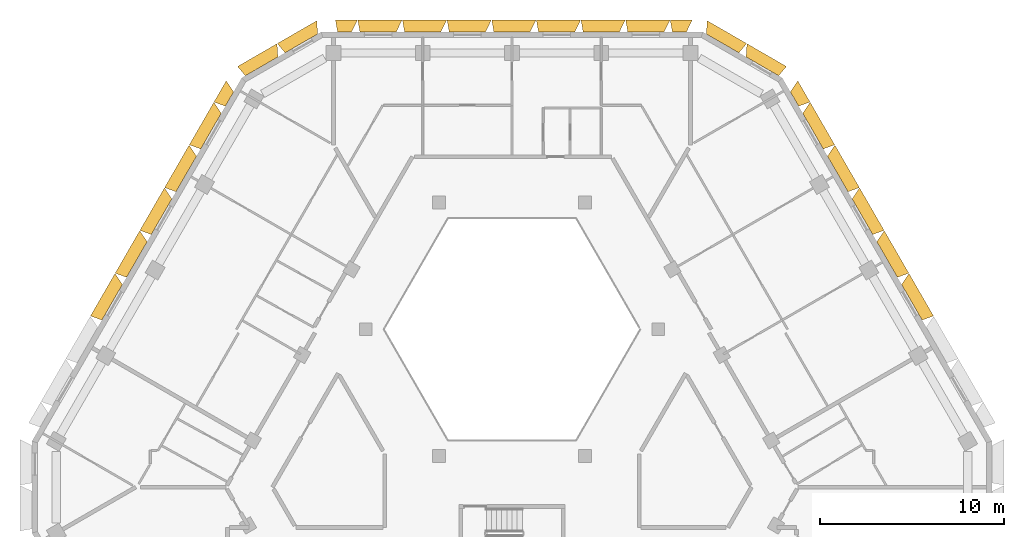
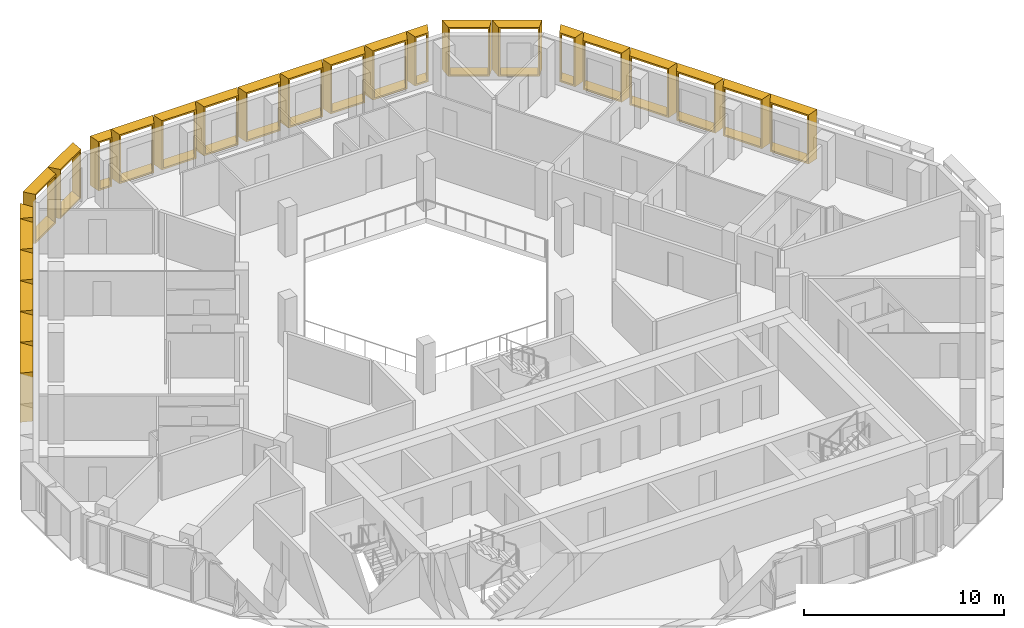
# One storey, part 14 of 14: 25 shading devices.
"""IFC4 building model written with IfcOpenShell, lengths in metres."""

from ifc_helpers import new_model, entity, si_unit, direction, frame, origin, place, context, subcontext, project, spatial, source, transform, mapped, material, type_object, type_shapes, element, save


model = new_model("IFC4")

# Units and contexts
model_context = context("Model", 3, precision=1e-05, world=origin(), true_north=direction((0.0, 1.0)))
body_context = subcontext(model_context, "Body", "Model", "MODEL_VIEW")
ifc_project = project(units=[si_unit("LENGTHUNIT", "METRE"), si_unit("AREAUNIT", "SQUARE_METRE"), si_unit("VOLUMEUNIT", "CUBIC_METRE"), si_unit("PLANEANGLEUNIT", "RADIAN"), si_unit("MASSUNIT", "GRAM", prefix="KILO")], contexts=[model_context])

# Site, building, storey
site_placement = place(None, origin())
site = spatial("IfcSite", under=ifc_project, at=site_placement, CompositionType="ELEMENT")
building_placement = place(site_placement, origin())
building = spatial("IfcBuilding", under=site, at=building_placement, Name="Beryl Residences", CompositionType="ELEMENT")
storey_placement = place(building_placement, frame((0.0, 0.0, 181.199951171875)))
storey = spatial("IfcBuildingStorey", under=building, at=storey_placement, Name="L55", CompositionType="ELEMENT", Elevation=181.199951171875)

# Shading devices
ifc_material_1 = material(Name="Aluminium pale anodised", Category="aluminium")
shading_device_type_1 = type_object("IfcShadingDeviceType", Name="FR122-65B OUTER SKIN frame 650 mm deep, splay 26/10 deg, 1220 x 3000 mm cell", PredefinedType="USERDEFINED", material=ifc_material_1)
cartesian_point_1 = entity("IfcCartesianPoint", [-0.384033203125, 0.0])
cartesian_point_2 = entity("IfcCartesianPoint", [-0.294921875, 0.10009765625])
cartesian_point_3 = entity("IfcCartesianPoint", [-0.700927734375, 0.0])
cartesian_point_4 = entity("IfcCartesianPoint", [-0.612060546875, 0.10009765625])
shared_shape_1 = source(origin(), body_context, "Body", "SweptSolid", [
    entity("IfcExtrudedAreaSolidTapered", entity("IfcArbitraryProfileDefWithVoids", "AREA", None, entity("IfcPolyline", [cartesian_point_1, entity("IfcCartesianPoint", [0.384033203125, 0.0]), entity("IfcCartesianPoint", [0.384033203125, 3.0]), entity("IfcCartesianPoint", [-0.384033203125, 3.0]), cartesian_point_1]), [entity("IfcPolyline", [cartesian_point_2, entity("IfcCartesianPoint", [0.302734375, 0.10009765625]), entity("IfcCartesianPoint", [0.302734375, 2.89990234375]), entity("IfcCartesianPoint", [-0.294921875, 2.89990234375]), cartesian_point_2])]), entity("IfcAxis2Placement3D", entity("IfcCartesianPoint", [0.0, 0.0, 0.0]), entity("IfcDirection", [0.0, 1.0, 0.0]), entity("IfcDirection", [-1.0, 0.0, 0.0])), entity("IfcDirection", [0.0, 0.0, 1.0]), 0.64990234375, entity("IfcArbitraryProfileDefWithVoids", "AREA", None, entity("IfcPolyline", [cartesian_point_3, entity("IfcCartesianPoint", [0.49853515625, 0.0]), entity("IfcCartesianPoint", [0.49853515625, 3.0]), entity("IfcCartesianPoint", [-0.700927734375, 3.0]), cartesian_point_3]), [entity("IfcPolyline", [cartesian_point_4, entity("IfcCartesianPoint", [0.41748046875, 0.10009765625]), entity("IfcCartesianPoint", [0.41748046875, 2.89990234375]), entity("IfcCartesianPoint", [-0.612060546875, 2.89990234375]), cartesian_point_4])])),
])
type_shapes(shading_device_type_1, [shared_shape_1])
for number, where, z_axis, x_axis, name in (
    (1, (9.1201171875, 24.199951171875, 0.0), (0.0, 0.0, 1.0), (1.0, 0.0, 0.0), "FR122-65B frame L55 N 1"),
    (2, (-9.1201171875, 24.199951171875, 0.0), (0.0, 0.0, 1.0), (1.0, 0.0, 0.0), "FR122-65B frame L55 N 9"),
):
    element("IfcShadingDevice", number, at=place(storey_placement, frame(where, z_axis=z_axis, x_axis=x_axis)), inside=storey, type_object=shading_device_type_1, Name=name, ObjectType="OUTER SKIN", PredefinedType="USERDEFINED", context=body_context, shape_type="MappedRepresentation", body=[
        mapped(shared_shape_1, transform((0.0, 0.0, 0.0))),
    ])
ifc_material_2 = material(Name="Aluminium pale anodised", Category="aluminium")
shading_device_type_2 = type_object("IfcShadingDeviceType", Name="FR135-65B OUTER SKIN frame 650 mm deep, splay 26/10 deg, 1350 x 3000 mm cell", PredefinedType="USERDEFINED", material=ifc_material_2)
cartesian_point_5 = entity("IfcCartesianPoint", [-0.448974609375, 0.0])
cartesian_point_6 = entity("IfcCartesianPoint", [-0.360107421875, 0.10009765625])
cartesian_point_7 = entity("IfcCartesianPoint", [-0.76611328125, 0.0])
cartesian_point_8 = entity("IfcCartesianPoint", [-0.677001953125, 0.10009765625])
shared_shape_2 = source(origin(), body_context, "Body", "SweptSolid", [
    entity("IfcExtrudedAreaSolidTapered", entity("IfcArbitraryProfileDefWithVoids", "AREA", None, entity("IfcPolyline", [cartesian_point_5, entity("IfcCartesianPoint", [0.448974609375, 0.0]), entity("IfcCartesianPoint", [0.448974609375, 3.0]), entity("IfcCartesianPoint", [-0.448974609375, 3.0]), cartesian_point_5]), [entity("IfcPolyline", [cartesian_point_6, entity("IfcCartesianPoint", [0.36767578125, 0.10009765625]), entity("IfcCartesianPoint", [0.36767578125, 2.89990234375]), entity("IfcCartesianPoint", [-0.360107421875, 2.89990234375]), cartesian_point_6])]), entity("IfcAxis2Placement3D", entity("IfcCartesianPoint", [0.0, 0.0, 0.0]), entity("IfcDirection", [0.0, 1.0, 0.0]), entity("IfcDirection", [-1.0, 0.0, 0.0])), entity("IfcDirection", [0.0, 0.0, 1.0]), 0.64990234375, entity("IfcArbitraryProfileDefWithVoids", "AREA", None, entity("IfcPolyline", [cartesian_point_7, entity("IfcCartesianPoint", [0.563720703125, 0.0]), entity("IfcCartesianPoint", [0.563720703125, 3.0]), entity("IfcCartesianPoint", [-0.76611328125, 3.0]), cartesian_point_7]), [entity("IfcPolyline", [cartesian_point_8, entity("IfcCartesianPoint", [0.482421875, 0.10009765625]), entity("IfcCartesianPoint", [0.482421875, 2.89990234375]), entity("IfcCartesianPoint", [-0.677001953125, 2.89990234375]), cartesian_point_8])])),
])
type_shapes(shading_device_type_2, [shared_shape_2])
shading_device_1_placement = place(storey_placement, frame((-15.39111328125, 20.54296875, 0.0), z_axis=(0.0, 0.0, 1.0), x_axis=(0.5, 0.866025403784, 0.0)))
element("IfcShadingDevice", 3, at=shading_device_1_placement, inside=storey, type_object=shading_device_type_2, Name="FR135-65B frame L55 NW 1", ObjectType="OUTER SKIN", PredefinedType="USERDEFINED", context=body_context, shape_type="MappedRepresentation", body=[
    mapped(shared_shape_2, transform((0.0, 0.0, 0.0))),
])
ifc_material_3 = material(Name="Aluminium pale anodised", Category="aluminium")
shading_device_type_3 = type_object("IfcShadingDeviceType", Name="FR135-65C OUTER SKIN frame 650 mm deep, splay 10/26 deg, 1350 x 3000 mm cell", PredefinedType="USERDEFINED", material=ifc_material_3)
cartesian_point_9 = entity("IfcCartesianPoint", [-0.448974609375, 0.0])
cartesian_point_10 = entity("IfcCartesianPoint", [-0.36767578125, 0.10009765625])
cartesian_point_11 = entity("IfcCartesianPoint", [-0.563720703125, 0.0])
cartesian_point_12 = entity("IfcCartesianPoint", [-0.482421875, 0.10009765625])
shared_shape_3 = source(origin(), body_context, "Body", "SweptSolid", [
    entity("IfcExtrudedAreaSolidTapered", entity("IfcArbitraryProfileDefWithVoids", "AREA", None, entity("IfcPolyline", [cartesian_point_9, entity("IfcCartesianPoint", [0.448974609375, 0.0]), entity("IfcCartesianPoint", [0.448974609375, 3.0]), entity("IfcCartesianPoint", [-0.448974609375, 3.0]), cartesian_point_9]), [entity("IfcPolyline", [cartesian_point_10, entity("IfcCartesianPoint", [0.360107421875, 0.10009765625]), entity("IfcCartesianPoint", [0.360107421875, 2.89990234375]), entity("IfcCartesianPoint", [-0.36767578125, 2.89990234375]), cartesian_point_10])]), entity("IfcAxis2Placement3D", entity("IfcCartesianPoint", [0.0, 0.0, 0.0]), entity("IfcDirection", [0.0, 1.0, 0.0]), entity("IfcDirection", [-1.0, 0.0, 0.0])), entity("IfcDirection", [0.0, 0.0, 1.0]), 0.64990234375, entity("IfcArbitraryProfileDefWithVoids", "AREA", None, entity("IfcPolyline", [cartesian_point_11, entity("IfcCartesianPoint", [0.76611328125, 0.0]), entity("IfcCartesianPoint", [0.76611328125, 3.0]), entity("IfcCartesianPoint", [-0.563720703125, 3.0]), cartesian_point_11]), [entity("IfcPolyline", [cartesian_point_12, entity("IfcCartesianPoint", [0.677001953125, 0.10009765625]), entity("IfcCartesianPoint", [0.677001953125, 2.89990234375]), entity("IfcCartesianPoint", [-0.482421875, 2.89990234375]), cartesian_point_12])])),
])
type_shapes(shading_device_type_3, [shared_shape_3])
shading_device_2_placement = place(storey_placement, frame((15.39111328125, 20.54296875, 0.0), z_axis=(0.0, 0.0, 1.0), x_axis=(0.5, -0.866025403784, 0.0)))
element("IfcShadingDevice", 4, at=shading_device_2_placement, inside=storey, type_object=shading_device_type_3, Name="FR135-65C frame L55 NE 9", ObjectType="OUTER SKIN", PredefinedType="USERDEFINED", context=body_context, shape_type="MappedRepresentation", body=[
    mapped(shared_shape_3, transform((0.0, 0.0, 0.0))),
])
ifc_material_4 = material(Name="Aluminium pale anodised", Category="aluminium")
shading_device_type_4 = type_object("IfcShadingDeviceType", Name="FR243-65B OUTER SKIN frame 650 mm deep, splay 26/10 deg, 2430 x 3000 mm cell", PredefinedType="USERDEFINED", material=ifc_material_4)
cartesian_point_13 = entity("IfcCartesianPoint", [-0.989013671875, 0.0])
cartesian_point_14 = entity("IfcCartesianPoint", [-0.89990234375, 0.10009765625])
cartesian_point_15 = entity("IfcCartesianPoint", [-1.305908203125, 0.0])
cartesian_point_16 = entity("IfcCartesianPoint", [-1.217041015625, 0.10009765625])
shared_shape_4 = source(origin(), body_context, "Body", "SweptSolid", [
    entity("IfcExtrudedAreaSolidTapered", entity("IfcArbitraryProfileDefWithVoids", "AREA", None, entity("IfcPolyline", [cartesian_point_13, entity("IfcCartesianPoint", [0.989013671875, 0.0]), entity("IfcCartesianPoint", [0.989013671875, 3.0]), entity("IfcCartesianPoint", [-0.989013671875, 3.0]), cartesian_point_13]), [entity("IfcPolyline", [cartesian_point_14, entity("IfcCartesianPoint", [0.90771484375, 0.10009765625]), entity("IfcCartesianPoint", [0.90771484375, 2.89990234375]), entity("IfcCartesianPoint", [-0.89990234375, 2.89990234375]), cartesian_point_14])]), entity("IfcAxis2Placement3D", entity("IfcCartesianPoint", [0.0, 0.0, 0.0]), entity("IfcDirection", [0.0, 1.0, 0.0]), entity("IfcDirection", [-1.0, 0.0, 0.0])), entity("IfcDirection", [0.0, 0.0, 1.0]), 0.64990234375, entity("IfcArbitraryProfileDefWithVoids", "AREA", None, entity("IfcPolyline", [cartesian_point_15, entity("IfcCartesianPoint", [1.103515625, 0.0]), entity("IfcCartesianPoint", [1.103515625, 3.0]), entity("IfcCartesianPoint", [-1.305908203125, 3.0]), cartesian_point_15]), [entity("IfcPolyline", [cartesian_point_16, entity("IfcCartesianPoint", [1.0224609375, 0.10009765625]), entity("IfcCartesianPoint", [1.0224609375, 2.89990234375]), entity("IfcCartesianPoint", [-1.217041015625, 2.89990234375]), cartesian_point_16])])),
])
type_shapes(shading_device_type_4, [shared_shape_4])
for number, where, z_axis, x_axis, name in (
    (5, (7.2958984375, 24.199951171875, 0.0), (0.0, 0.0, 1.0), (1.0, 0.0, 0.0), "FR243-65B frame L55 N 2"),
    (6, (4.864013671875, 24.199951171875, 0.0), (0.0, 0.0, 1.0), (1.0, 0.0, 0.0), "FR243-65B frame L55 N 3"),
    (7, (2.431884765625, 24.199951171875, 0.0), (0.0, 0.0, 1.0), (1.0, 0.0, 0.0), "FR243-65B frame L55 N 4"),
    (8, (0.0, 24.199951171875, 0.0), (0.0, 0.0, 1.0), (1.0, 0.0, 0.0), "FR243-65B frame L55 N 5"),
    (9, (-2.431884765625, 24.199951171875, 0.0), (0.0, 0.0, 1.0), (1.0, 0.0, 0.0), "FR243-65B frame L55 N 6"),
    (10, (-4.864013671875, 24.199951171875, 0.0), (0.0, 0.0, 1.0), (1.0, 0.0, 0.0), "FR243-65B frame L55 N 7"),
    (11, (-7.2958984375, 24.199951171875, 0.0), (0.0, 0.0, 1.0), (1.0, 0.0, 0.0), "FR243-65B frame L55 N 8"),
):
    element("IfcShadingDevice", number, at=place(storey_placement, frame(where, z_axis=z_axis, x_axis=x_axis)), inside=storey, type_object=shading_device_type_4, Name=name, ObjectType="OUTER SKIN", PredefinedType="USERDEFINED", context=body_context, shape_type="MappedRepresentation", body=[
        mapped(shared_shape_4, transform((0.0, 0.0, 0.0))),
    ])
ifc_material_5 = material(Name="Aluminium pale anodised", Category="aluminium")
shading_device_type_5 = type_object("IfcShadingDeviceType", Name="FR250-65B OUTER SKIN frame 650 mm deep, splay 26/10 deg, 2500 x 3000 mm cell", PredefinedType="USERDEFINED", material=ifc_material_5)
cartesian_point_17 = entity("IfcCartesianPoint", [-1.02392578125, 0.0])
cartesian_point_18 = entity("IfcCartesianPoint", [-0.93505859375, 0.10009765625])
cartesian_point_19 = entity("IfcCartesianPoint", [-1.341064453125, 0.0])
cartesian_point_20 = entity("IfcCartesianPoint", [-1.251953125, 0.10009765625])
shared_shape_5 = source(origin(), body_context, "Body", "SweptSolid", [
    entity("IfcExtrudedAreaSolidTapered", entity("IfcArbitraryProfileDefWithVoids", "AREA", None, entity("IfcPolyline", [cartesian_point_17, entity("IfcCartesianPoint", [1.02392578125, 0.0]), entity("IfcCartesianPoint", [1.02392578125, 3.0]), entity("IfcCartesianPoint", [-1.02392578125, 3.0]), cartesian_point_17]), [entity("IfcPolyline", [cartesian_point_18, entity("IfcCartesianPoint", [0.94287109375, 0.10009765625]), entity("IfcCartesianPoint", [0.94287109375, 2.89990234375]), entity("IfcCartesianPoint", [-0.93505859375, 2.89990234375]), cartesian_point_18])]), entity("IfcAxis2Placement3D", entity("IfcCartesianPoint", [0.0, 0.0, 0.0]), entity("IfcDirection", [0.0, 1.0, 0.0]), entity("IfcDirection", [-1.0, 0.0, 0.0])), entity("IfcDirection", [0.0, 0.0, 1.0]), 0.64990234375, entity("IfcArbitraryProfileDefWithVoids", "AREA", None, entity("IfcPolyline", [cartesian_point_19, entity("IfcCartesianPoint", [1.138671875, 0.0]), entity("IfcCartesianPoint", [1.138671875, 3.0]), entity("IfcCartesianPoint", [-1.341064453125, 3.0]), cartesian_point_19]), [entity("IfcPolyline", [cartesian_point_20, entity("IfcCartesianPoint", [1.057373046875, 0.10009765625]), entity("IfcCartesianPoint", [1.057373046875, 2.89990234375]), entity("IfcCartesianPoint", [-1.251953125, 2.89990234375]), cartesian_point_20])])),
])
type_shapes(shading_device_type_5, [shared_shape_5])
for number, where, z_axis, x_axis, name in (
    (12, (-11.47412109375, 23.574951171875, 0.0), (0.0, 0.0, 1.0), (0.866025403784, 0.5, 0.0), "FR250-65B frame L55 N-NW 1"),
    (13, (-13.638916015625, 22.324951171875, 0.0), (0.0, 0.0, 1.0), (0.866025403784, 0.5, 0.0), "FR250-65B frame L55 N-NW 2"),
):
    element("IfcShadingDevice", number, at=place(storey_placement, frame(where, z_axis=z_axis, x_axis=x_axis)), inside=storey, type_object=shading_device_type_5, Name=name, ObjectType="OUTER SKIN", PredefinedType="USERDEFINED", context=body_context, shape_type="MappedRepresentation", body=[
        mapped(shared_shape_5, transform((0.0, 0.0, 0.0))),
    ])
ifc_material_6 = material(Name="Aluminium pale anodised", Category="aluminium")
shading_device_type_6 = type_object("IfcShadingDeviceType", Name="FR250-65C OUTER SKIN frame 650 mm deep, splay 10/26 deg, 2500 x 3000 mm cell", PredefinedType="USERDEFINED", material=ifc_material_6)
cartesian_point_21 = entity("IfcCartesianPoint", [-1.02392578125, 0.0])
cartesian_point_22 = entity("IfcCartesianPoint", [-0.94287109375, 0.10009765625])
cartesian_point_23 = entity("IfcCartesianPoint", [-1.138671875, 0.0])
cartesian_point_24 = entity("IfcCartesianPoint", [-1.057373046875, 0.10009765625])
shared_shape_6 = source(origin(), body_context, "Body", "SweptSolid", [
    entity("IfcExtrudedAreaSolidTapered", entity("IfcArbitraryProfileDefWithVoids", "AREA", None, entity("IfcPolyline", [cartesian_point_21, entity("IfcCartesianPoint", [1.02392578125, 0.0]), entity("IfcCartesianPoint", [1.02392578125, 3.0]), entity("IfcCartesianPoint", [-1.02392578125, 3.0]), cartesian_point_21]), [entity("IfcPolyline", [cartesian_point_22, entity("IfcCartesianPoint", [0.93505859375, 0.10009765625]), entity("IfcCartesianPoint", [0.93505859375, 2.89990234375]), entity("IfcCartesianPoint", [-0.94287109375, 2.89990234375]), cartesian_point_22])]), entity("IfcAxis2Placement3D", entity("IfcCartesianPoint", [0.0, 0.0, 0.0]), entity("IfcDirection", [0.0, 1.0, 0.0]), entity("IfcDirection", [-1.0, 0.0, 0.0])), entity("IfcDirection", [0.0, 0.0, 1.0]), 0.64990234375, entity("IfcArbitraryProfileDefWithVoids", "AREA", None, entity("IfcPolyline", [cartesian_point_23, entity("IfcCartesianPoint", [1.341064453125, 0.0]), entity("IfcCartesianPoint", [1.341064453125, 3.0]), entity("IfcCartesianPoint", [-1.138671875, 3.0]), cartesian_point_23]), [entity("IfcPolyline", [cartesian_point_24, entity("IfcCartesianPoint", [1.251953125, 0.10009765625]), entity("IfcCartesianPoint", [1.251953125, 2.89990234375]), entity("IfcCartesianPoint", [-1.057373046875, 2.89990234375]), cartesian_point_24])])),
])
type_shapes(shading_device_type_6, [shared_shape_6])
for number, where, z_axis, x_axis, name in (
    (14, (13.638916015625, 22.324951171875, 0.0), (0.0, 0.0, 1.0), (0.866025403784, -0.5, 0.0), "FR250-65C frame L55 NE-N 1"),
    (15, (11.47412109375, 23.574951171875, 0.0), (0.0, 0.0, 1.0), (0.866025403784, -0.5, 0.0), "FR250-65C frame L55 NE-N 2"),
):
    element("IfcShadingDevice", number, at=place(storey_placement, frame(where, z_axis=z_axis, x_axis=x_axis)), inside=storey, type_object=shading_device_type_6, Name=name, ObjectType="OUTER SKIN", PredefinedType="USERDEFINED", context=body_context, shape_type="MappedRepresentation", body=[
        mapped(shared_shape_6, transform((0.0, 0.0, 0.0))),
    ])
ifc_material_7 = material(Name="Aluminium pale anodised", Category="aluminium")
shading_device_type_7 = type_object("IfcShadingDeviceType", Name="FR269-65B OUTER SKIN frame 650 mm deep, splay 26/10 deg, 2690 x 3000 mm cell", PredefinedType="USERDEFINED", material=ifc_material_7)
cartesian_point_25 = entity("IfcCartesianPoint", [-1.118896484375, 0.0])
cartesian_point_26 = entity("IfcCartesianPoint", [-1.030029296875, 0.10009765625])
cartesian_point_27 = entity("IfcCartesianPoint", [-1.43603515625, 0.0])
cartesian_point_28 = entity("IfcCartesianPoint", [-1.346923828125, 0.10009765625])
shared_shape_7 = source(origin(), body_context, "Body", "SweptSolid", [
    entity("IfcExtrudedAreaSolidTapered", entity("IfcArbitraryProfileDefWithVoids", "AREA", None, entity("IfcPolyline", [cartesian_point_25, entity("IfcCartesianPoint", [1.118896484375, 0.0]), entity("IfcCartesianPoint", [1.118896484375, 3.0]), entity("IfcCartesianPoint", [-1.118896484375, 3.0]), cartesian_point_25]), [entity("IfcPolyline", [cartesian_point_26, entity("IfcCartesianPoint", [1.037841796875, 0.10009765625]), entity("IfcCartesianPoint", [1.037841796875, 2.89990234375]), entity("IfcCartesianPoint", [-1.030029296875, 2.89990234375]), cartesian_point_26])]), entity("IfcAxis2Placement3D", entity("IfcCartesianPoint", [0.0, 0.0, 0.0]), entity("IfcDirection", [0.0, 1.0, 0.0]), entity("IfcDirection", [-1.0, 0.0, 0.0])), entity("IfcDirection", [0.0, 0.0, 1.0]), 0.64990234375, entity("IfcArbitraryProfileDefWithVoids", "AREA", None, entity("IfcPolyline", [cartesian_point_27, entity("IfcCartesianPoint", [1.233642578125, 0.0]), entity("IfcCartesianPoint", [1.233642578125, 3.0]), entity("IfcCartesianPoint", [-1.43603515625, 3.0]), cartesian_point_27]), [entity("IfcPolyline", [cartesian_point_28, entity("IfcCartesianPoint", [1.15234375, 0.10009765625]), entity("IfcCartesianPoint", [1.15234375, 2.89990234375]), entity("IfcCartesianPoint", [-1.346923828125, 2.89990234375]), cartesian_point_28])])),
])
type_shapes(shading_device_type_7, [shared_shape_7])
for number, where, z_axis, x_axis, name in (
    (16, (-16.39990234375, 18.7939453125, 0.0), (0.0, 0.0, 1.0), (0.5, 0.866025403784, 0.0), "FR269-65B frame L55 NW 2"),
    (17, (-17.74609375, 16.462890625, 0.0), (0.0, 0.0, 1.0), (0.5, 0.866025403784, 0.0), "FR269-65B frame L55 NW 3"),
    (18, (-19.092041015625, 14.131103515625, 0.0), (0.0, 0.0, 1.0), (0.5, 0.866025403784, 0.0), "FR269-65B frame L55 NW 4"),
    (19, (-20.43798828125, 11.800048828125, 0.0), (0.0, 0.0, 1.0), (0.5, 0.866025403784, 0.0), "FR269-65B frame L55 NW 5"),
    (20, (-21.783935546875, 9.468994140625, 0.0), (0.0, 0.0, 1.0), (0.5, 0.866025403784, 0.0), "FR269-65B frame L55 NW 6"),
):
    element("IfcShadingDevice", number, at=place(storey_placement, frame(where, z_axis=z_axis, x_axis=x_axis)), inside=storey, type_object=shading_device_type_7, Name=name, ObjectType="OUTER SKIN", PredefinedType="USERDEFINED", context=body_context, shape_type="MappedRepresentation", body=[
        mapped(shared_shape_7, transform((0.0, 0.0, 0.0))),
    ])
ifc_material_8 = material(Name="Aluminium pale anodised", Category="aluminium")
shading_device_type_8 = type_object("IfcShadingDeviceType", Name="FR269-65C OUTER SKIN frame 650 mm deep, splay 10/26 deg, 2690 x 3000 mm cell", PredefinedType="USERDEFINED", material=ifc_material_8)
cartesian_point_29 = entity("IfcCartesianPoint", [-1.118896484375, 0.0])
cartesian_point_30 = entity("IfcCartesianPoint", [-1.037841796875, 0.10009765625])
cartesian_point_31 = entity("IfcCartesianPoint", [-1.233642578125, 0.0])
cartesian_point_32 = entity("IfcCartesianPoint", [-1.15234375, 0.10009765625])
shared_shape_8 = source(origin(), body_context, "Body", "SweptSolid", [
    entity("IfcExtrudedAreaSolidTapered", entity("IfcArbitraryProfileDefWithVoids", "AREA", None, entity("IfcPolyline", [cartesian_point_29, entity("IfcCartesianPoint", [1.118896484375, 0.0]), entity("IfcCartesianPoint", [1.118896484375, 3.0]), entity("IfcCartesianPoint", [-1.118896484375, 3.0]), cartesian_point_29]), [entity("IfcPolyline", [cartesian_point_30, entity("IfcCartesianPoint", [1.030029296875, 0.10009765625]), entity("IfcCartesianPoint", [1.030029296875, 2.89990234375]), entity("IfcCartesianPoint", [-1.037841796875, 2.89990234375]), cartesian_point_30])]), entity("IfcAxis2Placement3D", entity("IfcCartesianPoint", [0.0, 0.0, 0.0]), entity("IfcDirection", [0.0, 1.0, 0.0]), entity("IfcDirection", [-1.0, 0.0, 0.0])), entity("IfcDirection", [0.0, 0.0, 1.0]), 0.64990234375, entity("IfcArbitraryProfileDefWithVoids", "AREA", None, entity("IfcPolyline", [cartesian_point_31, entity("IfcCartesianPoint", [1.43603515625, 0.0]), entity("IfcCartesianPoint", [1.43603515625, 3.0]), entity("IfcCartesianPoint", [-1.233642578125, 3.0]), cartesian_point_31]), [entity("IfcPolyline", [cartesian_point_32, entity("IfcCartesianPoint", [1.346923828125, 0.10009765625]), entity("IfcCartesianPoint", [1.346923828125, 2.89990234375]), entity("IfcCartesianPoint", [-1.15234375, 2.89990234375]), cartesian_point_32])])),
])
type_shapes(shading_device_type_8, [shared_shape_8])
for number, where, z_axis, x_axis, name in (
    (21, (21.783935546875, 9.468994140625, 0.0), (0.0, 0.0, 1.0), (0.5, -0.866025403784, 0.0), "FR269-65C frame L55 NE 4"),
    (22, (20.43798828125, 11.800048828125, 0.0), (0.0, 0.0, 1.0), (0.5, -0.866025403784, 0.0), "FR269-65C frame L55 NE 5"),
    (23, (19.092041015625, 14.131103515625, 0.0), (0.0, 0.0, 1.0), (0.5, -0.866025403784, 0.0), "FR269-65C frame L55 NE 6"),
    (24, (17.74609375, 16.462890625, 0.0), (0.0, 0.0, 1.0), (0.5, -0.866025403784, 0.0), "FR269-65C frame L55 NE 7"),
    (25, (16.39990234375, 18.7939453125, 0.0), (0.0, 0.0, 1.0), (0.5, -0.866025403784, 0.0), "FR269-65C frame L55 NE 8"),
):
    element("IfcShadingDevice", number, at=place(storey_placement, frame(where, z_axis=z_axis, x_axis=x_axis)), inside=storey, type_object=shading_device_type_8, Name=name, ObjectType="OUTER SKIN", PredefinedType="USERDEFINED", context=body_context, shape_type="MappedRepresentation", body=[
        mapped(shared_shape_8, transform((0.0, 0.0, 0.0))),
    ])

save(model, "model.ifc")
